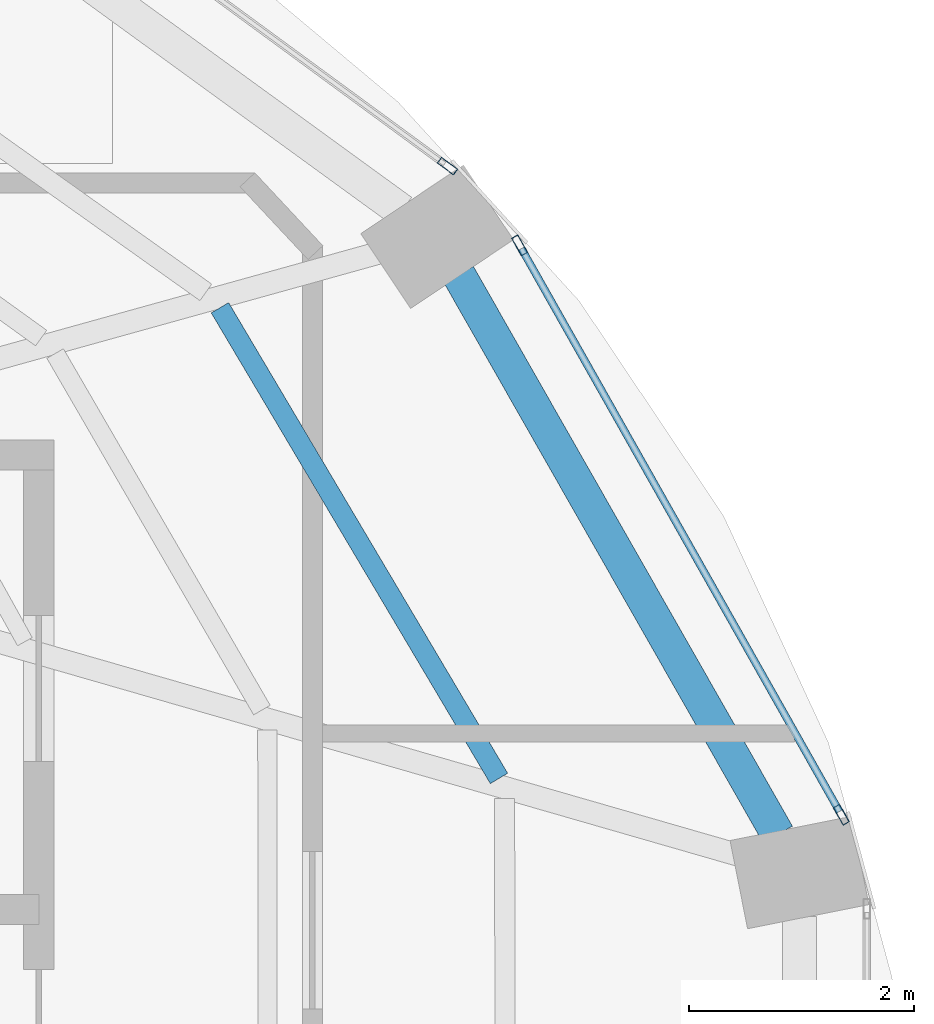
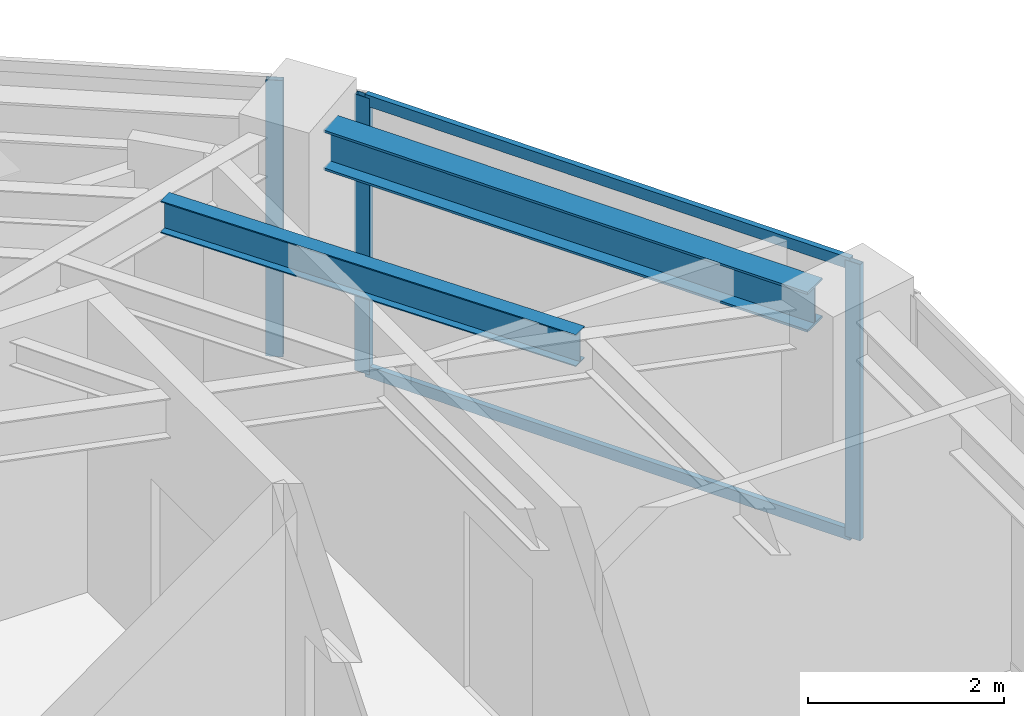
# One storey, part 6 of 13: 5 members, 2 beams, 2 elements without a shape of their own.
"""IFC4 building model written with IfcOpenShell, lengths in metres."""

import ifcopenshell
import ifcopenshell.guid

model = None  # the IFC model being written
_history = None  # IfcOwnerHistory: only IFC2X3 demands one
_inside = {}  # id of a spatial element -> (the spatial element, [elements in it])
_under = {}  # id of a project, library or spatial element -> (it, [spatial elements below it])
_declared = {}  # id of a project -> (the project, [libraries it declares])
_typed = {}  # id of a type object -> (the type object, [elements of that type])
_made_of = {}  # id of a material, layer set ... -> (it, [elements and type objects made of it])


def new_model(schema):
    """Start an empty IFC model of exactly this schema.

    Asked for "IFC4X3", IfcOpenShell would pick the latest addendum, in which some entities
    have other attributes; the version numbers below select the first issue.
    IFC2X3 requires an IfcOwnerHistory on every rooted entity: one is made here for all.
    """
    global model, _history
    if schema == "IFC4X3":
        model = ifcopenshell.file(schema_version=(4, 3, 0, 0))
    else:
        model = ifcopenshell.file(schema=schema)
    _inside.clear()
    _under.clear()
    _declared.clear()
    _typed.clear()
    _made_of.clear()
    _history = None
    if model.schema == "IFC2X3":
        org = make("IfcOrganization", Name="unknown")
        user = make(
            "IfcPersonAndOrganization",
            ThePerson=make("IfcPerson", FamilyName="unknown"),
            TheOrganization=org,
        )
        app = make(
            "IfcApplication",
            ApplicationDeveloper=org,
            Version="unknown",
            ApplicationFullName="unknown",
            ApplicationIdentifier="unknown",
        )
        _history = make(
            "IfcOwnerHistory",
            OwningUser=user,
            OwningApplication=app,
            ChangeAction="ADDED",
            CreationDate=0,
        )
    return model


def make(cls, **values):
    """One entity of the class cls with the attributes given. An attribute that is None is left unset."""
    return model.create_entity(
        cls, **{name: value for name, value in values.items() if value is not None}
    )


def rooted(cls, **values):
    """An entity with a GlobalId (a new one), such as an element, a storey or a relation."""
    return make(cls, GlobalId=ifcopenshell.guid.new(), OwnerHistory=_history, **values)


def si_unit(unit_type, name, prefix=None):
    """IfcSIUnit, for example si_unit("LENGTHUNIT", "METRE", prefix="MILLI")."""
    return make("IfcSIUnit", UnitType=unit_type, Prefix=prefix, Name=name)


def assignment(units):
    """IfcUnitAssignment: the units of a project."""
    return None if units is None else make("IfcUnitAssignment", Units=units)


def point(xyz):
    """IfcCartesianPoint."""
    return None if xyz is None else make("IfcCartesianPoint", Coordinates=xyz)


def direction(xyz):
    """IfcDirection."""
    return None if xyz is None else make("IfcDirection", DirectionRatios=xyz)


def frame(location, z_axis=None, x_axis=None):
    """IfcAxis2Placement3D, a coordinate frame: its origin and axes. An axis left out is left unset."""
    return make(
        "IfcAxis2Placement3D",
        Location=point(location),
        Axis=direction(z_axis),
        RefDirection=direction(x_axis),
    )


def frame_2d(location, x_axis=None):
    """IfcAxis2Placement2D, a coordinate frame in the plane: its origin and x axis."""
    return make(
        "IfcAxis2Placement2D", Location=point(location), RefDirection=direction(x_axis)
    )


def origin():
    """The frame at (0, 0, 0) with its axes left unset."""
    return frame((0.0, 0.0, 0.0))


def origin_2d():
    """The frame at (0, 0) in the plane with its x axis left unset."""
    return frame_2d((0.0, 0.0))


def place(relative_to, where):
    """IfcLocalPlacement: puts the frame where relative to a parent placement (None: the world)."""
    return make(
        "IfcLocalPlacement", PlacementRelTo=relative_to, RelativePlacement=where
    )


def context(
    kind, dimensions, precision=None, world=None, true_north=None, identifier=None
):
    """IfcGeometricRepresentationContext, for example the 3D "Model" context."""
    return make(
        "IfcGeometricRepresentationContext",
        ContextIdentifier=identifier,
        ContextType=kind,
        CoordinateSpaceDimension=dimensions,
        Precision=precision,
        WorldCoordinateSystem=world,
        TrueNorth=true_north,
    )


def subcontext(parent, identifier, kind, view, scale=None):
    """IfcGeometricRepresentationSubContext, for example "Body" below "Model"."""
    return make(
        "IfcGeometricRepresentationSubContext",
        ContextIdentifier=identifier,
        ContextType=kind,
        ParentContext=parent,
        TargetScale=scale,
        TargetView=view,
    )


def project(units=None, contexts=None):
    """IfcProject with its units and contexts."""
    return rooted(
        "IfcProject",
        Name="project",
        RepresentationContexts=contexts,
        UnitsInContext=assignment(units),
    )


def spatial(cls, under=None, at=None, **own):
    """A site, building, storey or space (cls), placed at a placement, below another one or the project."""
    s = rooted(cls, ObjectPlacement=at, **own)
    if under is not None:
        _under.setdefault(under.id(), (under, []))[1].append(s)
    return s


def profile(cls, at=None, kind="AREA", **sizes):
    """A parametric profile (cls). Its sizes go by their IFC names, for example OverallWidth=200.0."""
    return make(cls, ProfileType=kind, Position=at, **sizes)


def hollow_rectangle(**sizes):
    """IfcRectangleHollowProfileDef."""
    return profile("IfcRectangleHollowProfileDef", **sizes)


def i_section(**sizes):
    """IfcIShapeProfileDef."""
    return profile("IfcIShapeProfileDef", **sizes)


def extrude(swept, where, along, depth):
    """IfcExtrudedAreaSolid: the profile swept, set in the frame where, extruded along a direction by depth."""
    return make(
        "IfcExtrudedAreaSolid",
        SweptArea=swept,
        Position=where,
        ExtrudedDirection=direction(along),
        Depth=depth,
    )


def shape(context_of_items, identifier, shape_type, items):
    """IfcShapeRepresentation: the items that make up one representation, for example the "Body"."""
    return make(
        "IfcShapeRepresentation",
        ContextOfItems=context_of_items,
        RepresentationIdentifier=identifier,
        RepresentationType=shape_type,
        Items=items,
    )


def material(Name=None, Category=None):
    """IfcMaterial."""
    return make("IfcMaterial", Name=Name, Category=Category)


def layer(
    of_material, thickness, ventilated=None, Name=None, Category=None, Priority=None
):
    """IfcMaterialLayer: one layer of a wall or slab, of a material (None: an air gap)."""
    return make(
        "IfcMaterialLayer",
        Material=of_material,
        LayerThickness=thickness,
        IsVentilated=ventilated,
        Name=Name,
        Category=Category,
        Priority=Priority,
    )


def layer_set(layers, Name=None):
    """IfcMaterialLayerSet."""
    return make("IfcMaterialLayerSet", MaterialLayers=layers, LayerSetName=Name)


def material_profile(
    of_material, cross_section, Name=None, Category=None, Priority=None
):
    """IfcMaterialProfile: a cross section and its material."""
    return make(
        "IfcMaterialProfile",
        Name=Name,
        Material=of_material,
        Profile=cross_section,
        Priority=Priority,
        Category=Category,
    )


def profile_set(profiles, Name=None, composite=None):
    """IfcMaterialProfileSet."""
    return make(
        "IfcMaterialProfileSet",
        Name=Name,
        MaterialProfiles=profiles,
        CompositeProfile=composite,
    )


def made_of(thing, what):
    """Note that an element or type object is made of a material, layer set ...; save() writes the relation."""
    if what is not None:
        _made_of.setdefault(what.id(), (what, []))[1].append(thing)
    return thing


def type_object(cls, material=None, **own):
    """A type object (cls), such as IfcWallType, which elements share."""
    return made_of(rooted(cls, **own), material)


def element(
    cls,
    number,
    at=None,
    inside=None,
    cuts=None,
    type_object=None,
    material=None,
    context=None,
    identifier="Body",
    shape_type=None,
    held_by="IfcProductDefinitionShape",
    body=None,
    shapes=None,
    **own,
):
    """One element of the class cls, such as IfcWall. Its Tag is "e" and its number.

    at: its placement. inside: the storey or other place that contains it. cuts: it is an
    opening in that element (IfcRelVoidsElement). A single representation is given by context,
    identifier, shape_type and body (its items); several are given by shapes. held_by: the class
    of the entity that holds the representations. save() writes the other relations.
    """
    e = rooted(cls, Tag="e%d" % number, ObjectPlacement=at, **own)
    if body is not None:
        shapes = [shape(context, identifier, shape_type, body)]
    if shapes is not None:
        e.Representation = make(held_by, Representations=shapes)
    if inside is not None:
        _inside.setdefault(inside.id(), (inside, []))[1].append(e)
    if cuts is not None:
        rooted(
            "IfcRelVoidsElement", RelatingBuildingElement=cuts, RelatedOpeningElement=e
        )
    if type_object is not None:
        _typed.setdefault(type_object.id(), (type_object, []))[1].append(e)
    return made_of(e, material)


def aggregate(whole, parts):
    """IfcRelAggregates: a whole, such as a stair, and the parts it consists of."""
    return rooted("IfcRelAggregates", RelatingObject=whole, RelatedObjects=parts)


def save(model, path):
    """Write the relations noted so far, then the file.

    IfcRelAggregates (storeys below a building ...), IfcRelContainedInSpatialStructure (elements
    in a storey), IfcRelDefinesByType, IfcRelAssociatesMaterial and IfcRelDeclares: one each for
    every whole, place, type object, material and project.
    """
    for whole, parts in _under.values():
        aggregate(whole, parts)
    for where, things in _inside.values():
        rooted(
            "IfcRelContainedInSpatialStructure",
            RelatedElements=things,
            RelatingStructure=where,
        )
    for kind, things in _typed.values():
        rooted("IfcRelDefinesByType", RelatedObjects=things, RelatingType=kind)
    for what, things in _made_of.values():
        rooted("IfcRelAssociatesMaterial", RelatedObjects=things, RelatingMaterial=what)
    for by, libraries in _declared.values():
        rooted("IfcRelDeclares", RelatingContext=by, RelatedDefinitions=libraries)
    model.write(path)


model = new_model("IFC4")

# Units and contexts
model_context = context("Model", 3, precision=1e-05, world=origin(), true_north=direction((0.0, 1.0)))
body_context = subcontext(model_context, "Body", "Model", "MODEL_VIEW")
ifc_project = project(units=[si_unit("LENGTHUNIT", "METRE"), si_unit("AREAUNIT", "SQUARE_METRE"), si_unit("VOLUMEUNIT", "CUBIC_METRE"), si_unit("PLANEANGLEUNIT", "RADIAN"), si_unit("MASSUNIT", "GRAM", prefix="KILO")], contexts=[model_context])

# Site, building, storey
site_placement = place(None, origin())
site = spatial("IfcSite", under=ifc_project, at=site_placement, CompositionType="ELEMENT")
building_placement = place(site_placement, origin())
building = spatial("IfcBuilding", under=site, at=building_placement, Name="Lazwardi Medical Tower", CompositionType="ELEMENT")
storey_placement = place(building_placement, frame((0.0, 0.0, 276.912109375)))
storey = spatial("IfcBuildingStorey", under=building, at=storey_placement, Name="L72", CompositionType="ELEMENT", Elevation=276.912109375)

# Beams
ifc_material_1 = material(Name="Steel S355", Category="steel")
ifc_material_profile_1 = material_profile(ifc_material_1, i_section(OverallWidth=0.300048828125, OverallDepth=0.5, WebThickness=0.014404296875, FlangeThickness=0.028076171875, at=origin_2d()), Name="HEB 500")
ifc_profile_set_1 = profile_set([ifc_material_profile_1], Name="Steel S355")
beam_type_1 = type_object("IfcBeamType", Name="BM-RB-Z4", PredefinedType="BEAM", material=ifc_profile_set_1)
beam_1_placement = place(storey_placement, frame((56.991943359375, 32.601806640625, 3.197998046875), z_axis=(-0.495125273299, 0.868821594886, 0.0), x_axis=(-0.868821594886, -0.495125273299, 0.0)))
element("IfcBeam", 1, at=beam_1_placement, inside=storey, type_object=beam_type_1, Name="Ring beam RB-05 B05 L72", PredefinedType="BEAM", context=body_context, shape_type="SweptSolid", body=[
    extrude(i_section(OverallWidth=0.300048828125, OverallDepth=0.5, WebThickness=0.014404296875, FlangeThickness=0.028076171875, at=origin_2d()), origin(), (0.0, 0.0, 1.0), 5.734130859375),
])
ifc_material_profile_2 = material_profile(ifc_material_1, i_section(OverallWidth=0.179931640625, OverallDepth=0.39990234375, WebThickness=0.008544921875, FlangeThickness=0.013427734375, at=origin_2d()), Name="IPE 400")
ifc_profile_set_2 = profile_set([ifc_material_profile_2], Name="Steel S355")
beam_type_2 = type_object("IfcBeamType", Name="BM-SJ-01", PredefinedType="JOIST", material=ifc_profile_set_2)
beam_2_placement = place(storey_placement, frame((54.510986328125, 33.100830078125, 3.247802734375), z_axis=(-0.510029083291, 0.860157156685, 0.0), x_axis=(-0.860157156685, -0.510029083291, 0.0)))
element("IfcBeam", 2, at=beam_2_placement, inside=storey, type_object=beam_type_2, Name="Secondary joist SJ-01 R1 B05 L72", PredefinedType="JOIST", context=body_context, shape_type="SweptSolid", body=[
    extrude(i_section(OverallWidth=0.179931640625, OverallDepth=0.39990234375, WebThickness=0.008544921875, FlangeThickness=0.013427734375, at=origin_2d()), origin(), (0.0, 0.0, 1.0), 4.87060546875),
])

# Curtain wall, members
ifc_material_2 = material(Name="Anodised bronze aluminium and solar control glazing", Category="aluminium")
ifc_layer = layer(ifc_material_2, 0.18994140625)
ifc_layer_set = layer_set([ifc_layer], Name="Anodised bronze aluminium and solar control glazing")
curtain_wall_type = type_object("IfcCurtainWallType", Name="CW-SYS-04", PredefinedType="NOTDEFINED", material=ifc_layer_set)
curtain_wall_1_placement = place(storey_placement, origin())
curtain_wall_1 = element("IfcCurtainWall", 3, at=curtain_wall_1_placement, inside=storey, type_object=curtain_wall_type, Name="L72 Unitised bronze curtain wall CW-04", PredefinedType="NOTDEFINED")
ifc_material_3 = material(Name="Anodised bronze aluminium", Category="aluminium")
ifc_material_profile_3 = material_profile(ifc_material_3, hollow_rectangle(XDim=0.06494140625, YDim=0.179931640625, WallThickness=0.00390625, at=origin_2d()), Name="ALU-MULLION 180x65x4")
ifc_profile_set_3 = profile_set([ifc_material_profile_3], Name="Anodised bronze aluminium")
member_type_1 = type_object("IfcMemberType", Name="CW-MUL-03", PredefinedType="MULLION", material=ifc_profile_set_3)
member_1_placement = place(storey_placement, frame((57.557373046875, 32.778076171875, 0.0), z_axis=(0.0, 0.0, 1.0), x_axis=(-0.870651436011, -0.491900474661, 0.0)))
member_1 = element("IfcMember", 4, at=member_1_placement, type_object=member_type_1, Name="CW-04 mullion 1", PredefinedType="MULLION", context=body_context, shape_type="SweptSolid", body=[
    extrude(hollow_rectangle(XDim=0.06494140625, YDim=0.179931640625, WallThickness=0.00390625, at=origin_2d()), origin(), (0.0, 0.0, 1.0), 3.447998046875),
])
member_2_placement = place(storey_placement, frame((54.6943359375, 37.845458984375, 0.0), z_axis=(0.0, 0.0, 1.0), x_axis=(-0.870651436011, -0.491900474661, 0.0)))
member_2 = element("IfcMember", 5, at=member_2_placement, type_object=member_type_1, Name="CW-04 mullion 2", PredefinedType="MULLION", context=body_context, shape_type="SweptSolid", body=[
    extrude(hollow_rectangle(XDim=0.06494140625, YDim=0.179931640625, WallThickness=0.00390625, at=origin_2d()), origin(), (0.0, 0.0, 1.0), 3.447998046875),
])

# Curtain wall, member
curtain_wall_2_placement = place(storey_placement, origin())
curtain_wall_2 = element("IfcCurtainWall", 6, at=curtain_wall_2_placement, inside=storey, type_object=curtain_wall_type, Name="L72 Unitised bronze curtain wall CW-04", PredefinedType="NOTDEFINED")
member_3_placement = place(storey_placement, frame((54.052001953125, 38.551513671875, 0.0), z_axis=(0.0, 0.0, 1.0), x_axis=(-0.591268230971, -0.806474971121, 0.0)))
member_3 = element("IfcMember", 7, at=member_3_placement, type_object=member_type_1, Name="CW-04 mullion 1", PredefinedType="MULLION", context=body_context, shape_type="SweptSolid", body=[
    extrude(hollow_rectangle(XDim=0.06494140625, YDim=0.179931640625, WallThickness=0.00390625, at=origin_2d()), origin(), (0.0, 0.0, 1.0), 3.447998046875),
])
aggregate(curtain_wall_2, [member_3])

# Member
ifc_material_profile_4 = material_profile(ifc_material_3, hollow_rectangle(XDim=0.06494140625, YDim=0.139892578125, WallThickness=0.00341796875, at=origin_2d()), Name="ALU-TRANSOM 140x65x3.5")
ifc_profile_set_4 = profile_set([ifc_material_profile_4], Name="Anodised bronze aluminium")
member_type_2 = type_object("IfcMemberType", Name="CW-TRN-03", PredefinedType="USERDEFINED", material=ifc_profile_set_4)
member_4_placement = place(storey_placement, frame((57.541259765625, 32.806396484375, 0.032470703125), z_axis=(-0.491879719484, 0.87066316194, 0.0), x_axis=(-0.87066316194, -0.491879719484, 0.0)))
member_4 = element("IfcMember", 8, at=member_4_placement, type_object=member_type_2, Name="CW-04 transom 1.1", ObjectType="TRANSOM", PredefinedType="USERDEFINED", context=body_context, shape_type="SweptSolid", body=[
    extrude(hollow_rectangle(XDim=0.06494140625, YDim=0.139892578125, WallThickness=0.00341796875, at=origin_2d()), origin(), (0.0, 0.0, 1.0), 5.755126953125),
])

member_5_placement = place(storey_placement, frame((57.541259765625, 32.806396484375, 3.415283203125), z_axis=(-0.491879719484, 0.87066316194, 0.0), x_axis=(-0.87066316194, -0.491879719484, 0.0)))
member_5 = element("IfcMember", 9, at=member_5_placement, type_object=member_type_2, Name="CW-04 transom 1.2", ObjectType="TRANSOM", PredefinedType="USERDEFINED", context=body_context, shape_type="SweptSolid", body=[
    extrude(hollow_rectangle(XDim=0.06494140625, YDim=0.139892578125, WallThickness=0.00341796875, at=origin_2d()), origin(), (0.0, 0.0, 1.0), 5.755126953125),
])

aggregate(curtain_wall_1, [member_1, member_2, member_4, member_5])

save(model, "model.ifc")
